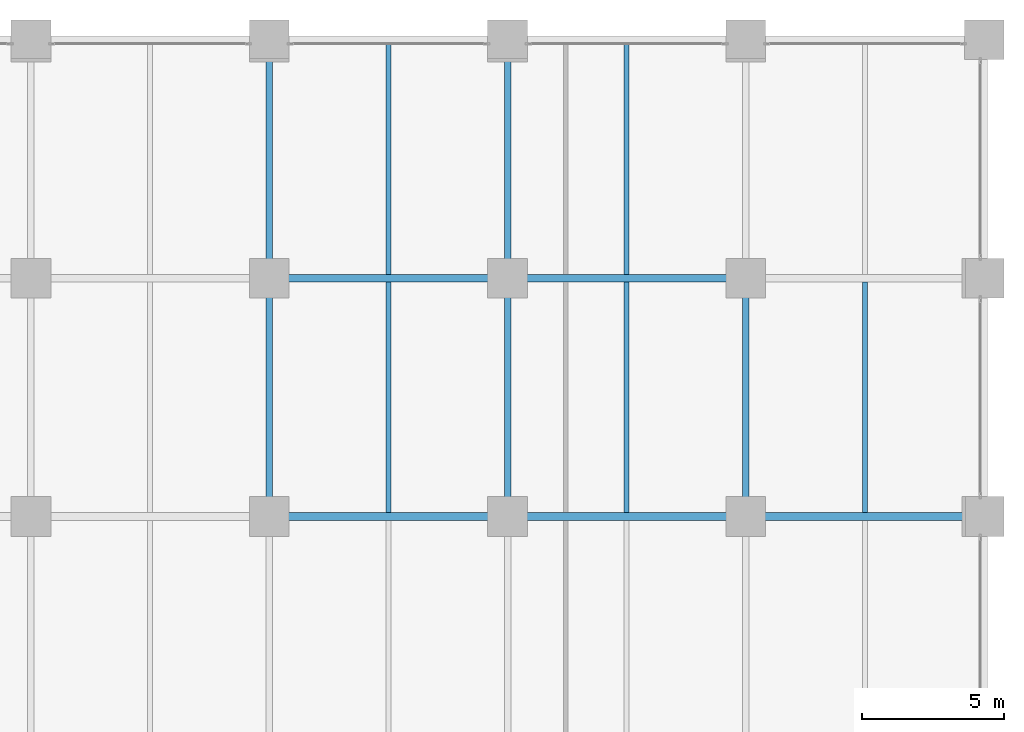
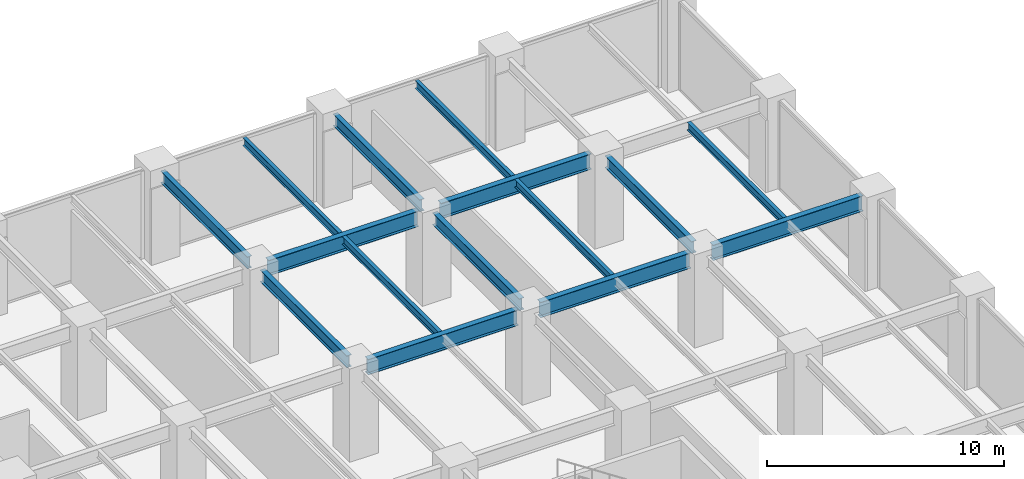
# One storey, part 14 of 24: 15 beams.
"""IFC4 building model written with IfcOpenShell, lengths in metres."""

from ifc_helpers import new_model, si_unit, direction, frame, origin, origin_2d, place, context, subcontext, project, spatial, i_section, extrude, material, material_profile, profile_set, type_object, element, save


model = new_model("IFC4")

# Units and contexts
model_context = context("Model", 3, precision=1e-05, world=origin(), true_north=direction((0.0, 1.0)))
body_context = subcontext(model_context, "Body", "Model", "MODEL_VIEW")
ifc_project = project(units=[si_unit("LENGTHUNIT", "METRE"), si_unit("AREAUNIT", "SQUARE_METRE"), si_unit("VOLUMEUNIT", "CUBIC_METRE"), si_unit("PLANEANGLEUNIT", "RADIAN"), si_unit("MASSUNIT", "GRAM", prefix="KILO")], contexts=[model_context])

# Site, building, storey
site_placement = place(None, origin())
site = spatial("IfcSite", under=ifc_project, at=site_placement, CompositionType="ELEMENT")
building_placement = place(site_placement, origin())
building = spatial("IfcBuilding", under=site, at=building_placement, Name="Nerrivon Quay Data Exchange", CompositionType="ELEMENT")
storey_placement = place(building_placement, frame((0.0, 0.0, 10.199951171875)))
storey = spatial("IfcBuildingStorey", under=building, at=storey_placement, Name="L02", CompositionType="ELEMENT", Elevation=10.199951171875)

# Beams
ifc_material = material(Name="Steel Grade 350", Category="steel")
ifc_material_profile_1 = material_profile(ifc_material, i_section(OverallWidth=0.22900390625, OverallDepth=0.612060546875, WebThickness=0.011962890625, FlangeThickness=0.01953125, FilletRadius=0.013916015625, at=origin_2d()), Name="610UB125")
ifc_profile_set_1 = profile_set([ifc_material_profile_1], Name="Steel Grade 350")
beam_type_1 = type_object("IfcBeamType", Name="BM-G1-610UB125", PredefinedType="BEAM", material=ifc_profile_set_1)
for number, where, z_axis, x_axis, name in (
    (1, (33.60009765625, 34.139892578125, 4.218994140625), (0.0, 1.0, 0.0), (-1.0, 0.0, 0.0), "L02 NS Girder X=33.6 (33.6..42.0)"),
    (2, (33.60009765625, 42.5400390625, 4.218994140625), (0.0, 1.0, 0.0), (-1.0, 0.0, 0.0), "L02 NS Girder X=33.6 (42.0..50.4)"),
    (3, (42.0, 34.139892578125, 4.218994140625), (0.0, 1.0, 0.0), (-1.0, 0.0, 0.0), "L02 NS Girder X=42.0 (33.6..42.0)"),
    (4, (42.0, 42.5400390625, 4.218994140625), (0.0, 1.0, 0.0), (-1.0, 0.0, 0.0), "L02 NS Girder X=42.0 (42.0..50.4)"),
    (5, (50.39990234375, 34.139892578125, 4.218994140625), (0.0, 1.0, 0.0), (-1.0, 0.0, 0.0), "L02 NS Girder X=50.4 (33.6..42.0)"),
):
    element("IfcBeam", number, at=place(storey_placement, frame(where, z_axis=z_axis, x_axis=x_axis)), inside=storey, type_object=beam_type_1, Name=name, PredefinedType="BEAM", context=body_context, shape_type="SweptSolid", body=[
        extrude(i_section(OverallWidth=0.22900390625, OverallDepth=0.612060546875, WebThickness=0.011962890625, FlangeThickness=0.01953125, FilletRadius=0.013916015625, at=origin_2d()), origin(), (0.0, 0.0, 1.0), 7.320068359375),
    ])
ifc_material_profile_2 = material_profile(ifc_material, i_section(OverallWidth=0.27490234375, OverallDepth=0.800048828125, WebThickness=0.010009765625, FlangeThickness=0.02001953125, at=origin_2d()), Name="800WB146")
ifc_profile_set_2 = profile_set([ifc_material_profile_2], Name="Steel Grade 350")
beam_type_2 = type_object("IfcBeamType", Name="BM-G8-800WB146", PredefinedType="BEAM", material=ifc_profile_set_2)
for number, where, z_axis, x_axis, name in (
    (6, (34.139892578125, 33.60009765625, 4.125), (1.0, 0.0, 0.0), (0.0, 1.0, 0.0), "L02 EW Girder Y=33.6 (33.6..42.0)"),
    (7, (42.5400390625, 33.60009765625, 4.125), (1.0, 0.0, 0.0), (0.0, 1.0, 0.0), "L02 EW Girder Y=33.6 (42.0..50.4)"),
    (8, (50.93994140625, 33.60009765625, 4.125), (1.0, 0.0, 0.0), (0.0, 1.0, 0.0), "L02 EW Girder Y=33.6 (50.4..58.8)"),
    (9, (34.139892578125, 42.0, 4.125), (1.0, 0.0, 0.0), (0.0, 1.0, 0.0), "L02 EW Girder Y=42.0 (33.6..42.0)"),
    (10, (42.5400390625, 42.0, 4.125), (1.0, 0.0, 0.0), (0.0, 1.0, 0.0), "L02 EW Girder Y=42.0 (42.0..50.4)"),
):
    element("IfcBeam", number, at=place(storey_placement, frame(where, z_axis=z_axis, x_axis=x_axis)), inside=storey, type_object=beam_type_2, Name=name, PredefinedType="BEAM", context=body_context, shape_type="SweptSolid", body=[
        extrude(i_section(OverallWidth=0.27490234375, OverallDepth=0.800048828125, WebThickness=0.010009765625, FlangeThickness=0.02001953125, at=origin_2d()), origin(), (0.0, 0.0, 1.0), 7.320068359375),
    ])
ifc_material_profile_3 = material_profile(ifc_material, i_section(OverallWidth=0.177978515625, OverallDepth=0.403076171875, WebThickness=0.007568359375, FlangeThickness=0.010986328125, FilletRadius=0.011474609375, at=origin_2d()), Name="410UB53.7")
ifc_profile_set_3 = profile_set([ifc_material_profile_3], Name="Steel Grade 350")
beam_type_3 = type_object("IfcBeamType", Name="BM-J2-410UB54", PredefinedType="JOIST", material=ifc_profile_set_3)
for number, where, z_axis, x_axis, name in (
    (11, (37.800048828125, 33.737548828125, 4.323486328125), (0.0, 1.0, 0.0), (-1.0, 0.0, 0.0), "L02 Secondary Joist X=37.8 (33.6..42.0)"),
    (12, (37.800048828125, 42.137451171875, 4.323486328125), (0.0, 1.0, 0.0), (-1.0, 0.0, 0.0), "L02 Secondary Joist X=37.8 (42.0..50.4)"),
    (13, (46.199951171875, 33.737548828125, 4.323486328125), (0.0, 1.0, 0.0), (-1.0, 0.0, 0.0), "L02 Secondary Joist X=46.2 (33.6..42.0)"),
    (14, (46.199951171875, 42.137451171875, 4.323486328125), (0.0, 1.0, 0.0), (-1.0, 0.0, 0.0), "L02 Secondary Joist X=46.2 (42.0..50.4)"),
    (15, (54.60009765625, 33.737548828125, 4.323486328125), (0.0, 1.0, 0.0), (-1.0, 0.0, 0.0), "L02 Secondary Joist X=54.6 (33.6..42.0)"),
):
    element("IfcBeam", number, at=place(storey_placement, frame(where, z_axis=z_axis, x_axis=x_axis)), inside=storey, type_object=beam_type_3, Name=name, PredefinedType="JOIST", context=body_context, shape_type="SweptSolid", body=[
        extrude(i_section(OverallWidth=0.177978515625, OverallDepth=0.403076171875, WebThickness=0.007568359375, FlangeThickness=0.010986328125, FilletRadius=0.011474609375, at=origin_2d()), origin(), (0.0, 0.0, 1.0), 8.125),
    ])

save(model, "model.ifc")
